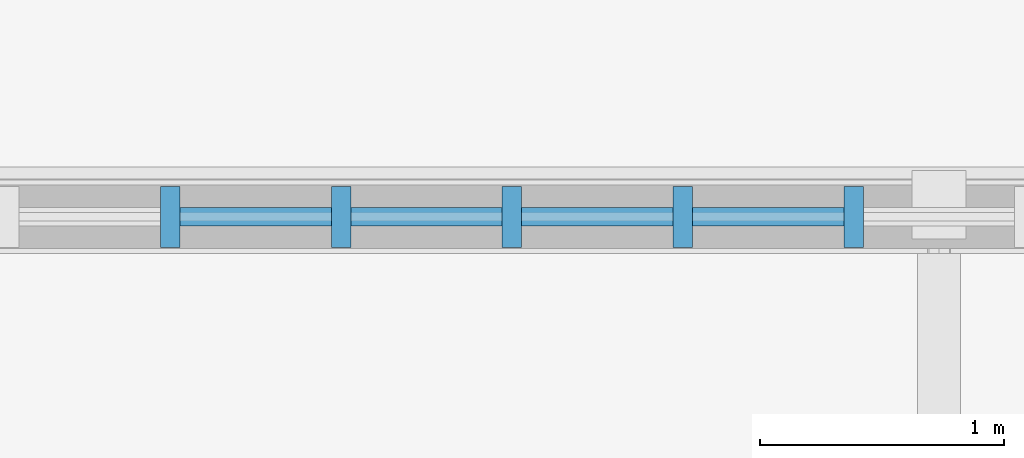
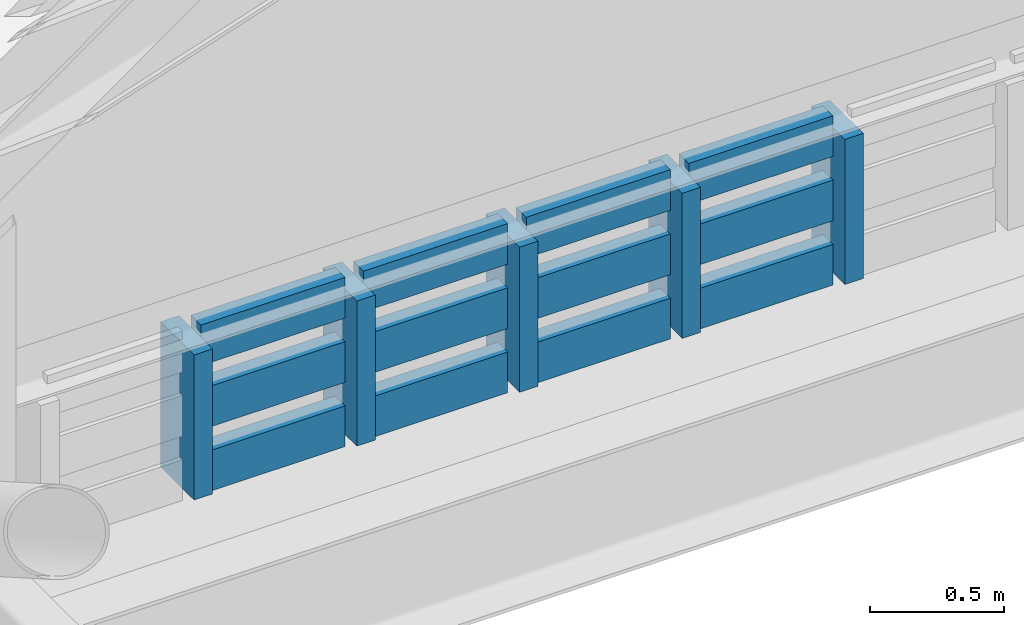
# One storey, part 45 of 77: 17 members, 1 element without a shape of its own.
"""IFC4 building model written with IfcOpenShell, lengths in metres."""

from ifc_helpers import new_model, si_unit, direction, frame, origin, origin_2d, place, context, subcontext, project, spatial, rectangle, extrude, material, material_profile, profile_set, type_object, element, aggregate, save


model = new_model("IFC4")

# Units and contexts
model_context = context("Model", 3, precision=1e-05, world=origin(), true_north=direction((0.0, 1.0)))
body_context = subcontext(model_context, "Body", "Model", "MODEL_VIEW")
ifc_project = project(units=[si_unit("LENGTHUNIT", "METRE"), si_unit("AREAUNIT", "SQUARE_METRE"), si_unit("VOLUMEUNIT", "CUBIC_METRE"), si_unit("PLANEANGLEUNIT", "RADIAN"), si_unit("MASSUNIT", "GRAM", prefix="KILO")], contexts=[model_context])

# Site, building, storey
site_placement = place(None, origin())
site = spatial("IfcSite", under=ifc_project, at=site_placement, CompositionType="ELEMENT")
building_placement = place(site_placement, origin())
building = spatial("IfcBuilding", under=site, at=building_placement, Name="Larkvane Passage Sports Hall", CompositionType="ELEMENT")
storey_placement = place(building_placement, frame((0.0, 0.0, 22.199951171875)))
storey = spatial("IfcBuildingStorey", under=building, at=storey_placement, Name="RF", CompositionType="ELEMENT", Elevation=22.199951171875)

# Curtain wall, members
ifc_material_1 = material(Name="Thermally broken aluminium and low-E glazing", Category="aluminium")
curtain_wall_type = type_object("IfcCurtainWallType", Name="CW-CLER-N", PredefinedType="USERDEFINED", material=ifc_material_1)
curtain_wall_placement = place(storey_placement, origin())
curtain_wall = element("IfcCurtainWall", 1, at=curtain_wall_placement, inside=storey, type_object=curtain_wall_type, Name="Curtain wall CW5-RF-CLER-4", ObjectType="STICK CURTAIN WALL", PredefinedType="USERDEFINED")
ifc_material_2 = material(Name="Anodised aluminium 6063-T6", Category="aluminium")
ifc_material_profile_1 = material_profile(ifc_material_2, rectangle(XDim=0.080078125, YDim=0.25, at=origin_2d()), Name="ALU-MUL-80x250")
ifc_profile_set_1 = profile_set([ifc_material_profile_1], Name="Anodised aluminium 6063-T6")
member_type_1 = type_object("IfcMemberType", Name="CW-MUL-80x250", PredefinedType="MULLION", material=ifc_profile_set_1)
member_1_placement = place(storey_placement, frame((63.85009765625, 75.60009765625, 0.0), z_axis=(0.0, 0.0, 1.0), x_axis=(-1.0, 0.0, 0.0)))
member_1 = element("IfcMember", 2, at=member_1_placement, type_object=member_type_1, Name="CW-04 mullion 7", PredefinedType="MULLION", context=body_context, shape_type="SweptSolid", body=[
    extrude(rectangle(XDim=0.080078125, YDim=0.25, at=origin_2d()), origin(), (0.0, 0.0, 1.0), 0.66015625),
])
member_2_placement = place(storey_placement, frame((63.14990234375, 75.60009765625, 0.0), z_axis=(0.0, 0.0, 1.0), x_axis=(-1.0, 0.0, 0.0)))
member_2 = element("IfcMember", 3, at=member_2_placement, type_object=member_type_1, Name="CW-04 mullion 8", PredefinedType="MULLION", context=body_context, shape_type="SweptSolid", body=[
    extrude(rectangle(XDim=0.080078125, YDim=0.25, at=origin_2d()), origin(), (0.0, 0.0, 1.0), 0.66015625),
])
member_3_placement = place(storey_placement, frame((62.449951171875, 75.60009765625, 0.0), z_axis=(0.0, 0.0, 1.0), x_axis=(-1.0, 0.0, 0.0)))
member_3 = element("IfcMember", 4, at=member_3_placement, type_object=member_type_1, Name="CW-04 mullion 9", PredefinedType="MULLION", context=body_context, shape_type="SweptSolid", body=[
    extrude(rectangle(XDim=0.080078125, YDim=0.25, at=origin_2d()), origin(), (0.0, 0.0, 1.0), 0.66015625),
])
member_4_placement = place(storey_placement, frame((61.75, 75.60009765625, 0.0), z_axis=(0.0, 0.0, 1.0), x_axis=(-1.0, 0.0, 0.0)))
member_4 = element("IfcMember", 5, at=member_4_placement, type_object=member_type_1, Name="CW-04 mullion 10", PredefinedType="MULLION", context=body_context, shape_type="SweptSolid", body=[
    extrude(rectangle(XDim=0.080078125, YDim=0.25, at=origin_2d()), origin(), (0.0, 0.0, 1.0), 0.66015625),
])
member_5_placement = place(storey_placement, frame((61.050048828125, 75.60009765625, 0.0), z_axis=(0.0, 0.0, 1.0), x_axis=(-1.0, 0.0, 0.0)))
member_5 = element("IfcMember", 6, at=member_5_placement, type_object=member_type_1, Name="CW-04 mullion 11", PredefinedType="MULLION", context=body_context, shape_type="SweptSolid", body=[
    extrude(rectangle(XDim=0.080078125, YDim=0.25, at=origin_2d()), origin(), (0.0, 0.0, 1.0), 0.66015625),
])
ifc_material_profile_2 = material_profile(ifc_material_2, rectangle(XDim=0.074951171875, YDim=0.18505859375, at=origin_2d()), Name="ALU-TRN-75x185")
ifc_profile_set_2 = profile_set([ifc_material_profile_2], Name="Anodised aluminium 6063-T6")
member_type_2 = type_object("IfcMemberType", Name="CW-TRN-75x185", PredefinedType="USERDEFINED", material=ifc_profile_set_2)
member_6_placement = place(storey_placement, frame((63.81005859375, 75.60009765625, 0.03759765625), z_axis=(-1.0, 0.0, 0.0), x_axis=(0.0, -1.0, 0.0)))
member_6 = element("IfcMember", 7, at=member_6_placement, type_object=member_type_2, Name="CW-04 transom 7.1", ObjectType="TRANSOM", PredefinedType="USERDEFINED", context=body_context, shape_type="SweptSolid", body=[
    extrude(rectangle(XDim=0.074951171875, YDim=0.18505859375, at=origin_2d()), origin(), (0.0, 0.0, 1.0), 0.6201171875),
])
member_7_placement = place(storey_placement, frame((63.81005859375, 75.60009765625, 0.330078125), z_axis=(-1.0, 0.0, 0.0), x_axis=(0.0, -1.0, 0.0)))
member_7 = element("IfcMember", 8, at=member_7_placement, type_object=member_type_2, Name="CW-04 transom 7.2", ObjectType="TRANSOM", PredefinedType="USERDEFINED", context=body_context, shape_type="SweptSolid", body=[
    extrude(rectangle(XDim=0.074951171875, YDim=0.18505859375, at=origin_2d()), origin(), (0.0, 0.0, 1.0), 0.6201171875),
])
member_8_placement = place(storey_placement, frame((63.81005859375, 75.60009765625, 0.62255859375), z_axis=(-1.0, 0.0, 0.0), x_axis=(0.0, -1.0, 0.0)))
member_8 = element("IfcMember", 9, at=member_8_placement, type_object=member_type_2, Name="CW-04 transom 7.3", ObjectType="TRANSOM", PredefinedType="USERDEFINED", context=body_context, shape_type="SweptSolid", body=[
    extrude(rectangle(XDim=0.074951171875, YDim=0.18505859375, at=origin_2d()), origin(), (0.0, 0.0, 1.0), 0.6201171875),
])
member_9_placement = place(storey_placement, frame((63.110107421875, 75.60009765625, 0.03759765625), z_axis=(-1.0, 0.0, 0.0), x_axis=(0.0, -1.0, 0.0)))
member_9 = element("IfcMember", 10, at=member_9_placement, type_object=member_type_2, Name="CW-04 transom 8.1", ObjectType="TRANSOM", PredefinedType="USERDEFINED", context=body_context, shape_type="SweptSolid", body=[
    extrude(rectangle(XDim=0.074951171875, YDim=0.18505859375, at=origin_2d()), origin(), (0.0, 0.0, 1.0), 0.6201171875),
])
member_10_placement = place(storey_placement, frame((63.110107421875, 75.60009765625, 0.330078125), z_axis=(-1.0, 0.0, 0.0), x_axis=(0.0, -1.0, 0.0)))
member_10 = element("IfcMember", 11, at=member_10_placement, type_object=member_type_2, Name="CW-04 transom 8.2", ObjectType="TRANSOM", PredefinedType="USERDEFINED", context=body_context, shape_type="SweptSolid", body=[
    extrude(rectangle(XDim=0.074951171875, YDim=0.18505859375, at=origin_2d()), origin(), (0.0, 0.0, 1.0), 0.6201171875),
])
member_11_placement = place(storey_placement, frame((63.110107421875, 75.60009765625, 0.62255859375), z_axis=(-1.0, 0.0, 0.0), x_axis=(0.0, -1.0, 0.0)))
member_11 = element("IfcMember", 12, at=member_11_placement, type_object=member_type_2, Name="CW-04 transom 8.3", ObjectType="TRANSOM", PredefinedType="USERDEFINED", context=body_context, shape_type="SweptSolid", body=[
    extrude(rectangle(XDim=0.074951171875, YDim=0.18505859375, at=origin_2d()), origin(), (0.0, 0.0, 1.0), 0.6201171875),
])
member_12_placement = place(storey_placement, frame((62.409912109375, 75.60009765625, 0.03759765625), z_axis=(-1.0, 0.0, 0.0), x_axis=(0.0, -1.0, 0.0)))
member_12 = element("IfcMember", 13, at=member_12_placement, type_object=member_type_2, Name="CW-04 transom 9.1", ObjectType="TRANSOM", PredefinedType="USERDEFINED", context=body_context, shape_type="SweptSolid", body=[
    extrude(rectangle(XDim=0.074951171875, YDim=0.18505859375, at=origin_2d()), origin(), (0.0, 0.0, 1.0), 0.619873046875),
])
member_13_placement = place(storey_placement, frame((62.409912109375, 75.60009765625, 0.330078125), z_axis=(-1.0, 0.0, 0.0), x_axis=(0.0, -1.0, 0.0)))
member_13 = element("IfcMember", 14, at=member_13_placement, type_object=member_type_2, Name="CW-04 transom 9.2", ObjectType="TRANSOM", PredefinedType="USERDEFINED", context=body_context, shape_type="SweptSolid", body=[
    extrude(rectangle(XDim=0.074951171875, YDim=0.18505859375, at=origin_2d()), origin(), (0.0, 0.0, 1.0), 0.619873046875),
])
member_14_placement = place(storey_placement, frame((62.409912109375, 75.60009765625, 0.62255859375), z_axis=(-1.0, 0.0, 0.0), x_axis=(0.0, -1.0, 0.0)))
member_14 = element("IfcMember", 15, at=member_14_placement, type_object=member_type_2, Name="CW-04 transom 9.3", ObjectType="TRANSOM", PredefinedType="USERDEFINED", context=body_context, shape_type="SweptSolid", body=[
    extrude(rectangle(XDim=0.074951171875, YDim=0.18505859375, at=origin_2d()), origin(), (0.0, 0.0, 1.0), 0.619873046875),
])
member_15_placement = place(storey_placement, frame((61.7099609375, 75.60009765625, 0.03759765625), z_axis=(-1.0, 0.0, 0.0), x_axis=(0.0, -1.0, 0.0)))
member_15 = element("IfcMember", 16, at=member_15_placement, type_object=member_type_2, Name="CW-04 transom 10.1", ObjectType="TRANSOM", PredefinedType="USERDEFINED", context=body_context, shape_type="SweptSolid", body=[
    extrude(rectangle(XDim=0.074951171875, YDim=0.18505859375, at=origin_2d()), origin(), (0.0, 0.0, 1.0), 0.619873046875),
])
member_16_placement = place(storey_placement, frame((61.7099609375, 75.60009765625, 0.330078125), z_axis=(-1.0, 0.0, 0.0), x_axis=(0.0, -1.0, 0.0)))
member_16 = element("IfcMember", 17, at=member_16_placement, type_object=member_type_2, Name="CW-04 transom 10.2", ObjectType="TRANSOM", PredefinedType="USERDEFINED", context=body_context, shape_type="SweptSolid", body=[
    extrude(rectangle(XDim=0.074951171875, YDim=0.18505859375, at=origin_2d()), origin(), (0.0, 0.0, 1.0), 0.619873046875),
])
member_17_placement = place(storey_placement, frame((61.7099609375, 75.60009765625, 0.62255859375), z_axis=(-1.0, 0.0, 0.0), x_axis=(0.0, -1.0, 0.0)))
member_17 = element("IfcMember", 18, at=member_17_placement, type_object=member_type_2, Name="CW-04 transom 10.3", ObjectType="TRANSOM", PredefinedType="USERDEFINED", context=body_context, shape_type="SweptSolid", body=[
    extrude(rectangle(XDim=0.074951171875, YDim=0.18505859375, at=origin_2d()), origin(), (0.0, 0.0, 1.0), 0.619873046875),
])
aggregate(curtain_wall, [member_1, member_2, member_3, member_4, member_5, member_6, member_7, member_8, member_9, member_10, member_11, member_12, member_13, member_14, member_15, member_16, member_17])

save(model, "model.ifc")
